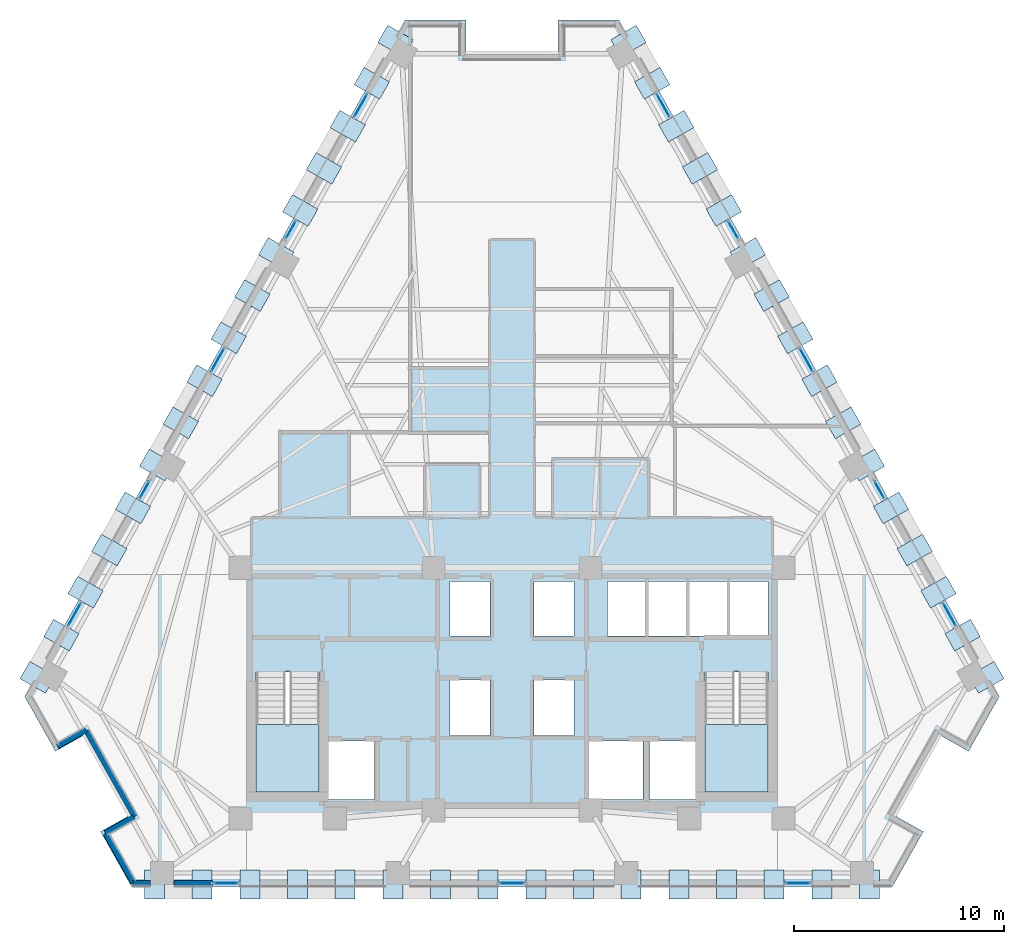
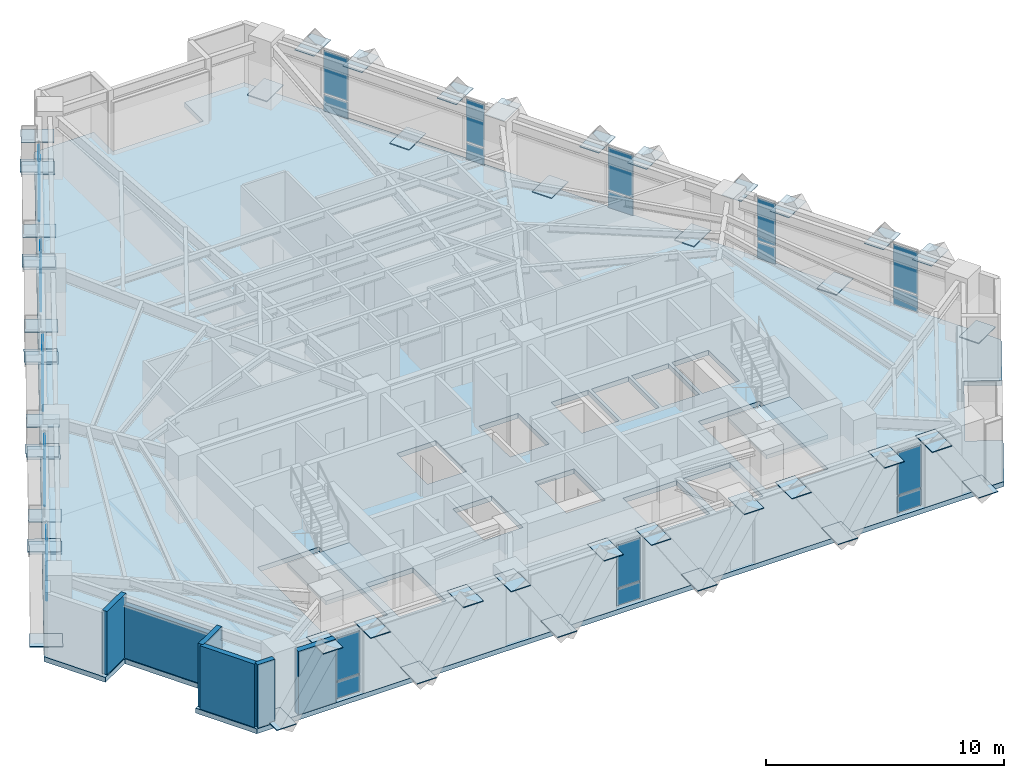
# One storey, part 6 of 13: 74 plates, 6 walls, 3 slabs, 15 elements without a shape of their own.
"""IFC4 building model written with IfcOpenShell, lengths in metres."""

from ifc_helpers import new_model, si_unit, direction, frame, frame_2d, origin, origin_2d, place, context, subcontext, project, spatial, polyline, rectangle, outline, extrude, material, layer, layer_set, type_object, element, aggregate, save


model = new_model("IFC4")

# Units and contexts
model_context = context("Model", 3, precision=1e-05, world=origin(), true_north=direction((0.0, 1.0)))
body_context = subcontext(model_context, "Body", "Model", "MODEL_VIEW")
ifc_project = project(units=[si_unit("LENGTHUNIT", "METRE"), si_unit("AREAUNIT", "SQUARE_METRE"), si_unit("VOLUMEUNIT", "CUBIC_METRE"), si_unit("PLANEANGLEUNIT", "RADIAN"), si_unit("MASSUNIT", "GRAM", prefix="KILO")], contexts=[model_context])

# Site, building, storey
site_placement = place(None, origin())
site = spatial("IfcSite", under=ifc_project, at=site_placement, CompositionType="ELEMENT")
building_placement = place(site_placement, origin())
building = spatial("IfcBuilding", under=site, at=building_placement, Name="Quenlor Broadcast Tower", CompositionType="ELEMENT")
storey_placement = place(building_placement, frame((0.0, 0.0, 109.0)))
storey = spatial("IfcBuildingStorey", under=building, at=storey_placement, Name="L29", CompositionType="ELEMENT", Elevation=109.0)

# Curtain wall, plates
ifc_material_1 = material(Name="Architectural Terracotta and Low-E Glazing", Category="masonry")
curtain_wall_type = type_object("IfcCurtainWallType", Name="Unitised Terracotta Curtain Wall System Z2", PredefinedType="NOTDEFINED", material=ifc_material_1)
curtain_wall_1_placement = place(storey_placement, origin())
curtain_wall_1 = element("IfcCurtainWall", 1, at=curtain_wall_1_placement, inside=storey, type_object=curtain_wall_type, Name="L29 Curtain Wall CW2 (L29-SA-G1)", PredefinedType="NOTDEFINED")
ifc_material_2 = material(Name="Double Glazed Low-E Solar Glass", Category="glass")
ifc_layer_1 = layer(ifc_material_2, 0.030029296875)
ifc_layer_set_1 = layer_set([ifc_layer_1], Name="CW2 Double Glazed Vision Panel 30")
plate_type_1 = type_object("IfcPlateType", Name="CW2 Double Glazed Vision Panel 30", PredefinedType="CURTAIN_PANEL", material=ifc_layer_set_1)
plate_1_placement = place(storey_placement, frame((13.63525390625, -19.840087890625, 0.074951171875), z_axis=(0.0, 0.0, 1.0), x_axis=(-1.0, 0.0, 0.0)))
plate_1 = element("IfcPlate", 2, at=plate_1_placement, type_object=plate_type_1, Name="CW2 panel 1.1", PredefinedType="CURTAIN_PANEL", context=body_context, shape_type="SweptSolid", body=[
    extrude(rectangle(XDim=1.1630859375, YDim=0.030029296875, at=origin_2d()), origin(), (0.0, 0.0, 1.0), 0.83740234375),
])
plate_2_placement = place(storey_placement, frame((13.63525390625, -19.840087890625, 0.987548828125), z_axis=(0.0, 0.0, 1.0), x_axis=(-1.0, 0.0, 0.0)))
plate_2 = element("IfcPlate", 3, at=plate_2_placement, type_object=plate_type_1, Name="CW2 panel 1.2", PredefinedType="CURTAIN_PANEL", context=body_context, shape_type="SweptSolid", body=[
    extrude(rectangle(XDim=1.1630859375, YDim=0.030029296875, at=origin_2d()), origin(), (0.0, 0.0, 1.0), 2.1875),
])
aggregate(curtain_wall_1, [plate_1, plate_2])

curtain_wall_2_placement = place(storey_placement, origin())
curtain_wall_2 = element("IfcCurtainWall", 4, at=curtain_wall_2_placement, inside=storey, type_object=curtain_wall_type, Name="L29 Curtain Wall CW2 (L29-SC-G1)", PredefinedType="NOTDEFINED")
plate_3_placement = place(storey_placement, frame((-13.63525390625, -19.840087890625, 0.074951171875), z_axis=(0.0, 0.0, 1.0), x_axis=(-1.0, 0.0, 0.0)))
plate_3 = element("IfcPlate", 5, at=plate_3_placement, type_object=plate_type_1, Name="CW2 panel 1.1", PredefinedType="CURTAIN_PANEL", context=body_context, shape_type="SweptSolid", body=[
    extrude(rectangle(XDim=1.1630859375, YDim=0.030029296875, at=origin_2d()), origin(), (0.0, 0.0, 1.0), 0.83740234375),
])
plate_4_placement = place(storey_placement, frame((-13.63525390625, -19.840087890625, 0.987548828125), z_axis=(0.0, 0.0, 1.0), x_axis=(-1.0, 0.0, 0.0)))
plate_4 = element("IfcPlate", 6, at=plate_4_placement, type_object=plate_type_1, Name="CW2 panel 1.2", PredefinedType="CURTAIN_PANEL", context=body_context, shape_type="SweptSolid", body=[
    extrude(rectangle(XDim=1.1630859375, YDim=0.030029296875, at=origin_2d()), origin(), (0.0, 0.0, 1.0), 2.1875),
])
aggregate(curtain_wall_2, [plate_3, plate_4])

curtain_wall_3_placement = place(storey_placement, origin())
curtain_wall_3 = element("IfcCurtainWall", 7, at=curtain_wall_3_placement, inside=storey, type_object=curtain_wall_type, Name="L29 Curtain Wall CW2 (L29-S-G1)", PredefinedType="NOTDEFINED")
plate_5_placement = place(storey_placement, frame((0.0, -19.840087890625, 0.074951171875), z_axis=(0.0, 0.0, 1.0), x_axis=(-1.0, 0.0, 0.0)))
plate_5 = element("IfcPlate", 8, at=plate_5_placement, type_object=plate_type_1, Name="CW2 panel 1.1", PredefinedType="CURTAIN_PANEL", context=body_context, shape_type="SweptSolid", body=[
    extrude(rectangle(XDim=1.1630859375, YDim=0.030029296875, at=origin_2d()), origin(), (0.0, 0.0, 1.0), 0.83740234375),
])
plate_6_placement = place(storey_placement, frame((0.0, -19.840087890625, 0.987548828125), z_axis=(0.0, 0.0, 1.0), x_axis=(-1.0, 0.0, 0.0)))
plate_6 = element("IfcPlate", 9, at=plate_6_placement, type_object=plate_type_1, Name="CW2 panel 1.2", PredefinedType="CURTAIN_PANEL", context=body_context, shape_type="SweptSolid", body=[
    extrude(rectangle(XDim=1.1630859375, YDim=0.030029296875, at=origin_2d()), origin(), (0.0, 0.0, 1.0), 2.1875),
])
aggregate(curtain_wall_3, [plate_5, plate_6])

curtain_wall_4_placement = place(storey_placement, origin())
curtain_wall_4 = element("IfcCurtainWall", 10, at=curtain_wall_4_placement, inside=storey, type_object=curtain_wall_type, Name="L29 Curtain Wall CW2 (L29-NEA-G1)", PredefinedType="NOTDEFINED")
plate_7_placement = place(storey_placement, frame((7.209228515625, 17.257080078125, 0.074951171875), z_axis=(0.0, 0.0, 1.0), x_axis=(0.490247320704, -0.871583366376, 0.0)))
plate_7 = element("IfcPlate", 11, at=plate_7_placement, type_object=plate_type_1, Name="CW2 panel 1.1", PredefinedType="CURTAIN_PANEL", context=body_context, shape_type="SweptSolid", body=[
    extrude(rectangle(XDim=1.21435546875, YDim=0.030029296875, at=origin_2d()), origin(), (0.0, 0.0, 1.0), 0.83740234375),
])
plate_8_placement = place(storey_placement, frame((7.209228515625, 17.257080078125, 0.987548828125), z_axis=(0.0, 0.0, 1.0), x_axis=(0.490247320704, -0.871583366376, 0.0)))
plate_8 = element("IfcPlate", 12, at=plate_8_placement, type_object=plate_type_1, Name="CW2 panel 1.2", PredefinedType="CURTAIN_PANEL", context=body_context, shape_type="SweptSolid", body=[
    extrude(rectangle(XDim=1.21435546875, YDim=0.030029296875, at=origin_2d()), origin(), (0.0, 0.0, 1.0), 2.1875),
])
aggregate(curtain_wall_4, [plate_7, plate_8])

curtain_wall_5_placement = place(storey_placement, origin())
curtain_wall_5 = element("IfcCurtainWall", 13, at=curtain_wall_5_placement, inside=storey, type_object=curtain_wall_type, Name="L29 Curtain Wall CW2 (L29-NEA-G2)", PredefinedType="NOTDEFINED")
plate_9_placement = place(storey_placement, frame((10.54736328125, 11.322998046875, 0.074951171875), z_axis=(0.0, 0.0, 1.0), x_axis=(0.490252261371, -0.871580587336, 0.0)))
plate_9 = element("IfcPlate", 14, at=plate_9_placement, type_object=plate_type_1, Name="CW2 panel 1.1", PredefinedType="CURTAIN_PANEL", context=body_context, shape_type="SweptSolid", body=[
    extrude(rectangle(XDim=0.90771484375, YDim=0.030029296875, at=origin_2d()), origin(), (0.0, 0.0, 1.0), 0.83740234375),
])
plate_10_placement = place(storey_placement, frame((10.54736328125, 11.322998046875, 0.987548828125), z_axis=(0.0, 0.0, 1.0), x_axis=(0.490252261371, -0.871580587336, 0.0)))
plate_10 = element("IfcPlate", 15, at=plate_10_placement, type_object=plate_type_1, Name="CW2 panel 1.2", PredefinedType="CURTAIN_PANEL", context=body_context, shape_type="SweptSolid", body=[
    extrude(rectangle(XDim=0.90771484375, YDim=0.030029296875, at=origin_2d()), origin(), (0.0, 0.0, 1.0), 2.1875),
])
aggregate(curtain_wall_5, [plate_9, plate_10])

curtain_wall_6_placement = place(storey_placement, origin())
curtain_wall_6 = element("IfcCurtainWall", 16, at=curtain_wall_6_placement, inside=storey, type_object=curtain_wall_type, Name="L29 Curtain Wall CW2 (L29-NEC-G1)", PredefinedType="NOTDEFINED")
plate_11_placement = place(storey_placement, frame((17.523681640625, -1.079833984375, 0.074951171875), z_axis=(0.0, 0.0, 1.0), x_axis=(0.490252261371, -0.871580587336, 0.0)))
plate_11 = element("IfcPlate", 17, at=plate_11_placement, type_object=plate_type_1, Name="CW2 panel 1.1", PredefinedType="CURTAIN_PANEL", context=body_context, shape_type="SweptSolid", body=[
    extrude(rectangle(XDim=0.90771484375, YDim=0.030029296875, at=origin_2d()), origin(), (0.0, 0.0, 1.0), 0.83740234375),
])
plate_12_placement = place(storey_placement, frame((17.523681640625, -1.079833984375, 0.987548828125), z_axis=(0.0, 0.0, 1.0), x_axis=(0.490252261371, -0.871580587336, 0.0)))
plate_12 = element("IfcPlate", 18, at=plate_12_placement, type_object=plate_type_1, Name="CW2 panel 1.2", PredefinedType="CURTAIN_PANEL", context=body_context, shape_type="SweptSolid", body=[
    extrude(rectangle(XDim=0.90771484375, YDim=0.030029296875, at=origin_2d()), origin(), (0.0, 0.0, 1.0), 2.1875),
])
aggregate(curtain_wall_6, [plate_11, plate_12])

curtain_wall_7_placement = place(storey_placement, origin())
curtain_wall_7 = element("IfcCurtainWall", 19, at=curtain_wall_7_placement, inside=storey, type_object=curtain_wall_type, Name="L29 Curtain Wall CW2 (L29-NEC-G2)", PredefinedType="NOTDEFINED")
plate_13_placement = place(storey_placement, frame((20.861572265625, -7.013916015625, 0.074951171875), z_axis=(0.0, 0.0, 1.0), x_axis=(0.490278639232, -0.871565749621, 0.0)))
plate_13 = element("IfcPlate", 20, at=plate_13_placement, type_object=plate_type_1, Name="CW2 panel 1.1", PredefinedType="CURTAIN_PANEL", context=body_context, shape_type="SweptSolid", body=[
    extrude(rectangle(XDim=1.21435546875, YDim=0.030029296875, at=origin_2d()), origin(), (0.0, 0.0, 1.0), 0.83740234375),
])
plate_14_placement = place(storey_placement, frame((20.861572265625, -7.013916015625, 0.987548828125), z_axis=(0.0, 0.0, 1.0), x_axis=(0.490278639232, -0.871565749621, 0.0)))
plate_14 = element("IfcPlate", 21, at=plate_14_placement, type_object=plate_type_1, Name="CW2 panel 1.2", PredefinedType="CURTAIN_PANEL", context=body_context, shape_type="SweptSolid", body=[
    extrude(rectangle(XDim=1.21435546875, YDim=0.030029296875, at=origin_2d()), origin(), (0.0, 0.0, 1.0), 2.1875),
])
aggregate(curtain_wall_7, [plate_13, plate_14])

curtain_wall_8_placement = place(storey_placement, origin())
curtain_wall_8 = element("IfcCurtainWall", 22, at=curtain_wall_8_placement, inside=storey, type_object=curtain_wall_type, Name="L29 Curtain Wall CW2 (L29-NE-G1)", PredefinedType="NOTDEFINED")
plate_15_placement = place(storey_placement, frame((14.035400390625, 5.12158203125, 0.074951171875), z_axis=(0.0, 0.0, 1.0), x_axis=(0.490254279037, -0.871579452423, 0.0)))
plate_15 = element("IfcPlate", 23, at=plate_15_placement, type_object=plate_type_1, Name="CW2 panel 1.1", PredefinedType="CURTAIN_PANEL", context=body_context, shape_type="SweptSolid", body=[
    extrude(rectangle(XDim=1.214111328125, YDim=0.030029296875, at=origin_2d()), origin(), (0.0, 0.0, 1.0), 0.83740234375),
])
plate_16_placement = place(storey_placement, frame((14.035400390625, 5.12158203125, 0.987548828125), z_axis=(0.0, 0.0, 1.0), x_axis=(0.490254279037, -0.871579452423, 0.0)))
plate_16 = element("IfcPlate", 24, at=plate_16_placement, type_object=plate_type_1, Name="CW2 panel 1.2", PredefinedType="CURTAIN_PANEL", context=body_context, shape_type="SweptSolid", body=[
    extrude(rectangle(XDim=1.214111328125, YDim=0.030029296875, at=origin_2d()), origin(), (0.0, 0.0, 1.0), 2.1875),
])
aggregate(curtain_wall_8, [plate_15, plate_16])

curtain_wall_9_placement = place(storey_placement, origin())
curtain_wall_9 = element("IfcCurtainWall", 25, at=curtain_wall_9_placement, inside=storey, type_object=curtain_wall_type, Name="L29 Curtain Wall CW2 (L29-NWA-G1)", PredefinedType="NOTDEFINED")
plate_17_placement = place(storey_placement, frame((-20.861572265625, -7.013916015625, 0.074951171875), z_axis=(0.0, 0.0, 1.0), x_axis=(0.490278639232, 0.871565749621, 0.0)))
plate_17 = element("IfcPlate", 26, at=plate_17_placement, type_object=plate_type_1, Name="CW2 panel 1.1", PredefinedType="CURTAIN_PANEL", context=body_context, shape_type="SweptSolid", body=[
    extrude(rectangle(XDim=1.21435546875, YDim=0.030029296875, at=origin_2d()), origin(), (0.0, 0.0, 1.0), 0.83740234375),
])
plate_18_placement = place(storey_placement, frame((-20.861572265625, -7.013916015625, 0.987548828125), z_axis=(0.0, 0.0, 1.0), x_axis=(0.490278639232, 0.871565749621, 0.0)))
plate_18 = element("IfcPlate", 27, at=plate_18_placement, type_object=plate_type_1, Name="CW2 panel 1.2", PredefinedType="CURTAIN_PANEL", context=body_context, shape_type="SweptSolid", body=[
    extrude(rectangle(XDim=1.21435546875, YDim=0.030029296875, at=origin_2d()), origin(), (0.0, 0.0, 1.0), 2.1875),
])
aggregate(curtain_wall_9, [plate_17, plate_18])

curtain_wall_10_placement = place(storey_placement, origin())
curtain_wall_10 = element("IfcCurtainWall", 28, at=curtain_wall_10_placement, inside=storey, type_object=curtain_wall_type, Name="L29 Curtain Wall CW2 (L29-NWA-G2)", PredefinedType="NOTDEFINED")
plate_19_placement = place(storey_placement, frame((-17.523681640625, -1.079833984375, 0.074951171875), z_axis=(0.0, 0.0, 1.0), x_axis=(0.490252261371, 0.871580587336, 0.0)))
plate_19 = element("IfcPlate", 29, at=plate_19_placement, type_object=plate_type_1, Name="CW2 panel 1.1", PredefinedType="CURTAIN_PANEL", context=body_context, shape_type="SweptSolid", body=[
    extrude(rectangle(XDim=0.90771484375, YDim=0.030029296875, at=origin_2d()), origin(), (0.0, 0.0, 1.0), 0.83740234375),
])
plate_20_placement = place(storey_placement, frame((-17.523681640625, -1.079833984375, 0.987548828125), z_axis=(0.0, 0.0, 1.0), x_axis=(0.490252261371, 0.871580587336, 0.0)))
plate_20 = element("IfcPlate", 30, at=plate_20_placement, type_object=plate_type_1, Name="CW2 panel 1.2", PredefinedType="CURTAIN_PANEL", context=body_context, shape_type="SweptSolid", body=[
    extrude(rectangle(XDim=0.90771484375, YDim=0.030029296875, at=origin_2d()), origin(), (0.0, 0.0, 1.0), 2.1875),
])
aggregate(curtain_wall_10, [plate_19, plate_20])

curtain_wall_11_placement = place(storey_placement, origin())
curtain_wall_11 = element("IfcCurtainWall", 31, at=curtain_wall_11_placement, inside=storey, type_object=curtain_wall_type, Name="L29 Curtain Wall CW2 (L29-NWC-G1)", PredefinedType="NOTDEFINED")
plate_21_placement = place(storey_placement, frame((-10.54736328125, 11.322998046875, 0.074951171875), z_axis=(0.0, 0.0, 1.0), x_axis=(0.490252261371, 0.871580587336, 0.0)))
plate_21 = element("IfcPlate", 32, at=plate_21_placement, type_object=plate_type_1, Name="CW2 panel 1.1", PredefinedType="CURTAIN_PANEL", context=body_context, shape_type="SweptSolid", body=[
    extrude(rectangle(XDim=0.90771484375, YDim=0.030029296875, at=origin_2d()), origin(), (0.0, 0.0, 1.0), 0.83740234375),
])
plate_22_placement = place(storey_placement, frame((-10.54736328125, 11.322998046875, 0.987548828125), z_axis=(0.0, 0.0, 1.0), x_axis=(0.490252261371, 0.871580587336, 0.0)))
plate_22 = element("IfcPlate", 33, at=plate_22_placement, type_object=plate_type_1, Name="CW2 panel 1.2", PredefinedType="CURTAIN_PANEL", context=body_context, shape_type="SweptSolid", body=[
    extrude(rectangle(XDim=0.90771484375, YDim=0.030029296875, at=origin_2d()), origin(), (0.0, 0.0, 1.0), 2.1875),
])
aggregate(curtain_wall_11, [plate_21, plate_22])

curtain_wall_12_placement = place(storey_placement, origin())
curtain_wall_12 = element("IfcCurtainWall", 34, at=curtain_wall_12_placement, inside=storey, type_object=curtain_wall_type, Name="L29 Curtain Wall CW2 (L29-NWC-G2)", PredefinedType="NOTDEFINED")
plate_23_placement = place(storey_placement, frame((-7.209228515625, 17.257080078125, 0.074951171875), z_axis=(0.0, 0.0, 1.0), x_axis=(0.490247320704, 0.871583366376, 0.0)))
plate_23 = element("IfcPlate", 35, at=plate_23_placement, type_object=plate_type_1, Name="CW2 panel 1.1", PredefinedType="CURTAIN_PANEL", context=body_context, shape_type="SweptSolid", body=[
    extrude(rectangle(XDim=1.21435546875, YDim=0.030029296875, at=origin_2d()), origin(), (0.0, 0.0, 1.0), 0.83740234375),
])
plate_24_placement = place(storey_placement, frame((-7.209228515625, 17.257080078125, 0.987548828125), z_axis=(0.0, 0.0, 1.0), x_axis=(0.490247320704, 0.871583366376, 0.0)))
plate_24 = element("IfcPlate", 36, at=plate_24_placement, type_object=plate_type_1, Name="CW2 panel 1.2", PredefinedType="CURTAIN_PANEL", context=body_context, shape_type="SweptSolid", body=[
    extrude(rectangle(XDim=1.21435546875, YDim=0.030029296875, at=origin_2d()), origin(), (0.0, 0.0, 1.0), 2.1875),
])
aggregate(curtain_wall_12, [plate_23, plate_24])

curtain_wall_13_placement = place(storey_placement, origin())
curtain_wall_13 = element("IfcCurtainWall", 37, at=curtain_wall_13_placement, inside=storey, type_object=curtain_wall_type, Name="L29 Curtain Wall CW2 (L29-NW-G1)", PredefinedType="NOTDEFINED")
plate_25_placement = place(storey_placement, frame((-14.035400390625, 5.12158203125, 0.074951171875), z_axis=(0.0, 0.0, 1.0), x_axis=(0.490254279037, 0.871579452423, 0.0)))
plate_25 = element("IfcPlate", 38, at=plate_25_placement, type_object=plate_type_1, Name="CW2 panel 1.1", PredefinedType="CURTAIN_PANEL", context=body_context, shape_type="SweptSolid", body=[
    extrude(rectangle(XDim=1.214111328125, YDim=0.030029296875, at=origin_2d()), origin(), (0.0, 0.0, 1.0), 0.83740234375),
])
plate_26_placement = place(storey_placement, frame((-14.035400390625, 5.12158203125, 0.987548828125), z_axis=(0.0, 0.0, 1.0), x_axis=(0.490254279037, 0.871579452423, 0.0)))
plate_26 = element("IfcPlate", 39, at=plate_26_placement, type_object=plate_type_1, Name="CW2 panel 1.2", PredefinedType="CURTAIN_PANEL", context=body_context, shape_type="SweptSolid", body=[
    extrude(rectangle(XDim=1.214111328125, YDim=0.030029296875, at=origin_2d()), origin(), (0.0, 0.0, 1.0), 2.1875),
])
aggregate(curtain_wall_13, [plate_25, plate_26])

# Stair, slab
ifc_material_3 = material(Name="Precast concrete C40/50", Category="concrete")
stair_type = type_object("IfcStairType", Name="Precast Concrete C40/50 Dogleg Stair H350", PredefinedType="HALF_TURN_STAIR", material=ifc_material_3)
stair_1_placement = place(storey_placement, origin())
stair_1 = element("IfcStair", 40, at=stair_1_placement, inside=storey, type_object=stair_type, Name="L29 West Core Fire-Isolated Exit Stair ST-1", PredefinedType="HALF_TURN_STAIR")
ifc_material_4 = material(Name="Precast concrete C40/50", Category="concrete")
ifc_layer_2 = layer(ifc_material_4, 0.199951171875)
ifc_layer_set_2 = layer_set([ifc_layer_2], Name="Precast Concrete C40/50 Stair Landing Slab 200")
slab_type_1 = type_object("IfcSlabType", Name="Precast Concrete C40/50 Stair Landing Slab 200", PredefinedType="LANDING", material=ifc_layer_set_2)
slab_1_placement = place(storey_placement, frame((0.0, 0.0, 1.550048828125)))
slab_1 = element("IfcSlab", 41, at=slab_1_placement, type_object=slab_type_1, Name="ST-1 landing 1", PredefinedType="LANDING", context=body_context, shape_type="SweptSolid", body=[
    extrude(outline(polyline([(-12.199951171875, -12.27001953125), (-12.199951171875, -15.5), (-9.199951171875, -15.5), (-9.199951171875, -12.27001953125), (-12.199951171875, -12.27001953125)])), origin(), (0.0, 0.0, 1.0), 0.199951171875),
])
aggregate(stair_1, [slab_1])

stair_2_placement = place(storey_placement, origin())
stair_2 = element("IfcStair", 42, at=stair_2_placement, inside=storey, type_object=stair_type, Name="L29 East Core Fire-Isolated Exit Stair ST-2", PredefinedType="HALF_TURN_STAIR")
slab_2_placement = place(storey_placement, frame((0.0, 0.0, 1.550048828125)))
slab_2 = element("IfcSlab", 43, at=slab_2_placement, type_object=slab_type_1, Name="ST-2 landing 1", PredefinedType="LANDING", context=body_context, shape_type="SweptSolid", body=[
    extrude(outline(polyline([(9.199951171875, -12.27001953125), (9.199951171875, -15.5), (12.199951171875, -15.5), (12.199951171875, -12.27001953125), (9.199951171875, -12.27001953125)])), origin(), (0.0, 0.0, 1.0), 0.199951171875),
])
aggregate(stair_2, [slab_2])

# Slab
ifc_material_5 = material(Name="Concrete C40/50", Category="concrete")
ifc_layer_3 = layer(ifc_material_5, 0.25)
ifc_layer_set_3 = layer_set([ifc_layer_3], Name="Tower Composite Concrete C40/50 Slab 250")
slab_type_2 = type_object("IfcSlabType", Name="Tower Composite Concrete C40/50 Slab 250", PredefinedType="FLOOR", material=ifc_layer_set_3)
slab_3_placement = place(storey_placement, frame((0.0, 0.0, -0.25)))
element("IfcSlab", 44, at=slab_3_placement, inside=storey, type_object=slab_type_2, Name="L29 Structural Floor Slab", PredefinedType="FLOOR", context=body_context, shape_type="SweptSolid", body=[
    extrude(outline(polyline([(18.14404296875, -20.0), (19.616943359375, -17.381591796875), (18.222412109375, -16.596923828125), (20.379638671875, -12.76220703125), (21.774169921875, -13.54638671875), (23.2470703125, -10.927978515625), (5.10302734375, 21.327880859375), (2.199951171875, 21.327880859375), (2.199951171875, 19.72802734375), (-2.199951171875, 19.72802734375), (-2.199951171875, 21.327880859375), (-5.10302734375, 21.327880859375), (-23.2470703125, -10.927978515625), (-21.774169921875, -13.54638671875), (-20.379638671875, -12.76220703125), (-18.222412109375, -16.596923828125), (-19.616943359375, -17.381591796875), (-18.14404296875, -20.0), (18.14404296875, -20.0)]), holes=[polyline([(-12.199951171875, -9.758056640625), (-12.199951171875, -15.5), (-9.199951171875, -15.5), (-9.199951171875, -9.758056640625), (-12.199951171875, -9.758056640625)]), polyline([(9.199951171875, -9.758056640625), (9.199951171875, -15.5), (12.199951171875, -15.5), (12.199951171875, -9.758056640625), (9.199951171875, -9.758056640625)]), polyline([(-2.949951171875, -8.050048828125), (-1.050048828125, -8.050048828125), (-1.050048828125, -5.449951171875), (-2.949951171875, -5.449951171875), (-2.949951171875, -8.050048828125)]), polyline([(1.050048828125, -8.050048828125), (2.949951171875, -8.050048828125), (2.949951171875, -5.449951171875), (1.050048828125, -5.449951171875), (1.050048828125, -8.050048828125)]), polyline([(-2.949951171875, -12.800048828125), (-1.050048828125, -12.800048828125), (-1.050048828125, -10.14990234375), (-2.949951171875, -10.14990234375), (-2.949951171875, -12.800048828125)]), polyline([(1.050048828125, -12.800048828125), (2.949951171875, -12.800048828125), (2.949951171875, -10.14990234375), (1.050048828125, -10.14990234375), (1.050048828125, -12.800048828125)]), polyline([(4.550048828125, -8.050048828125), (6.35009765625, -8.050048828125), (6.35009765625, -5.449951171875), (4.550048828125, -5.449951171875), (4.550048828125, -8.050048828125)]), polyline([(6.5, -8.050048828125), (8.300048828125, -8.050048828125), (8.300048828125, -5.449951171875), (6.5, -5.449951171875), (6.5, -8.050048828125)]), polyline([(8.449951171875, -8.050048828125), (10.25, -8.050048828125), (10.25, -5.449951171875), (8.449951171875, -5.449951171875), (8.449951171875, -8.050048828125)]), polyline([(10.39990234375, -8.050048828125), (12.199951171875, -8.050048828125), (12.199951171875, -5.449951171875), (10.39990234375, -5.449951171875), (10.39990234375, -8.050048828125)]), polyline([(-8.85009765625, -15.85009765625), (-6.550048828125, -15.85009765625), (-6.550048828125, -13.050048828125), (-8.85009765625, -13.050048828125), (-8.85009765625, -15.85009765625)]), polyline([(6.550048828125, -15.85009765625), (8.85009765625, -15.85009765625), (8.85009765625, -13.050048828125), (6.550048828125, -13.050048828125), (6.550048828125, -15.85009765625)]), polyline([(3.64990234375, -15.85009765625), (6.25, -15.85009765625), (6.25, -13.050048828125), (3.64990234375, -13.050048828125), (3.64990234375, -15.85009765625)])]), origin(), (0.0, 0.0, 1.0), 0.25),
])

# Plates
ifc_material_6 = material(Name="Steel S355", Category="steel")
ifc_layer_4 = layer(ifc_material_6, 0.035888671875)
ifc_layer_set_4 = layer_set([ifc_layer_4], Name="Transfer Truss Steel S355 Gusset Node Plate 1400x950x36")
plate_type_2 = type_object("IfcPlateType", Name="Transfer Truss Steel S355 Gusset Node Plate 1400x950x36", PredefinedType="SHEET", material=ifc_layer_set_4)
for number, where, z_axis, x_axis, name in (
    (45, (17.0439453125, -19.89990234375, 0.0419921875), (0.0, 0.0, 1.0), (0.0, -1.0, 0.0), "L29 Lattice Tie Gusset Node S-B0"),
    (46, (14.78515625, -19.89990234375, 3.18212890625), (0.0, 0.0, 1.0), (0.0, -1.0, 0.0), "L29 Lattice Tie Gusset Node S-T1"),
    (47, (10.226318359375, -19.89990234375, 0.0419921875), (0.0, 0.0, 1.0), (0.0, -1.0, 0.0), "L29 Lattice Tie Gusset Node S-B3"),
    (48, (12.4853515625, -19.89990234375, 3.18212890625), (0.0, 0.0, 1.0), (0.0, -1.0, 0.0), "L29 Lattice Tie Gusset Node S-T2"),
    (49, (7.967529296875, -19.89990234375, 3.18212890625), (0.0, 0.0, 1.0), (0.0, -1.0, 0.0), "L29 Lattice Tie Gusset Node S-T4"),
    (50, (3.40869140625, -19.89990234375, 0.0419921875), (0.0, 0.0, 1.0), (0.0, -1.0, 0.0), "L29 Lattice Tie Gusset Node S-B6"),
    (51, (5.667724609375, -19.89990234375, 3.18212890625), (0.0, 0.0, 1.0), (0.0, -1.0, 0.0), "L29 Lattice Tie Gusset Node S-T5"),
    (52, (1.14990234375, -19.89990234375, 3.18212890625), (0.0, 0.0, 1.0), (0.0, -1.0, 0.0), "L29 Lattice Tie Gusset Node S-T7"),
    (53, (-3.40869140625, -19.89990234375, 0.0419921875), (0.0, 0.0, 1.0), (0.0, -1.0, 0.0), "L29 Lattice Tie Gusset Node S-B9"),
    (54, (-1.14990234375, -19.89990234375, 3.18212890625), (0.0, 0.0, 1.0), (0.0, -1.0, 0.0), "L29 Lattice Tie Gusset Node S-T8"),
    (55, (-5.667724609375, -19.89990234375, 3.18212890625), (0.0, 0.0, 1.0), (0.0, -1.0, 0.0), "L29 Lattice Tie Gusset Node S-T10"),
    (56, (-10.226318359375, -19.89990234375, 0.0419921875), (0.0, 0.0, 1.0), (0.0, -1.0, 0.0), "L29 Lattice Tie Gusset Node S-B12"),
    (57, (-7.967529296875, -19.89990234375, 3.18212890625), (0.0, 0.0, 1.0), (0.0, -1.0, 0.0), "L29 Lattice Tie Gusset Node S-T11"),
    (58, (-12.4853515625, -19.89990234375, 3.18212890625), (0.0, 0.0, 1.0), (0.0, -1.0, 0.0), "L29 Lattice Tie Gusset Node S-T13"),
    (59, (-17.0439453125, -19.89990234375, 0.0419921875), (0.0, 0.0, 1.0), (0.0, -1.0, 0.0), "L29 Lattice Tie Gusset Node S-B15"),
    (60, (-14.78515625, -19.89990234375, 3.18212890625), (0.0, 0.0, 1.0), (0.0, -1.0, 0.0), "L29 Lattice Tie Gusset Node S-T14"),
    (61, (5.55517578125, 20.3203125, 0.0419921875), (0.0, 0.0, 1.0), (0.871556314255, 0.490295412055, 0.0), "L29 Lattice Tie Gusset Node NE-B0"),
    (62, (6.68603515625, 18.309814453125, 3.18212890625), (0.0, 0.0, 1.0), (0.871556314255, 0.490295412055, 0.0), "L29 Lattice Tie Gusset Node NE-T1"),
    (63, (8.96826171875, 14.252685546875, 0.0419921875), (0.0, 0.0, 1.0), (0.871556314255, 0.490295412055, 0.0), "L29 Lattice Tie Gusset Node NE-B3"),
    (64, (7.83740234375, 16.262939453125, 3.18212890625), (0.0, 0.0, 1.0), (0.871556314255, 0.490295412055, 0.0), "L29 Lattice Tie Gusset Node NE-T2"),
    (65, (10.09912109375, 12.2421875, 3.18212890625), (0.0, 0.0, 1.0), (0.871556314255, 0.490295412055, 0.0), "L29 Lattice Tie Gusset Node NE-T4"),
    (66, (12.38134765625, 8.184814453125, 0.0419921875), (0.0, 0.0, 1.0), (0.871556314255, 0.490295412055, 0.0), "L29 Lattice Tie Gusset Node NE-B6"),
    (67, (11.25048828125, 10.1953125, 3.18212890625), (0.0, 0.0, 1.0), (0.871556314255, 0.490295412055, 0.0), "L29 Lattice Tie Gusset Node NE-T5"),
    (68, (13.51220703125, 6.17431640625, 3.18212890625), (0.0, 0.0, 1.0), (0.871556314255, 0.490295412055, 0.0), "L29 Lattice Tie Gusset Node NE-T7"),
    (69, (15.794189453125, 2.1171875, 0.0419921875), (0.0, 0.0, 1.0), (0.871556314255, 0.490295412055, 0.0), "L29 Lattice Tie Gusset Node NE-B9"),
    (70, (14.66357421875, 4.127685546875, 3.18212890625), (0.0, 0.0, 1.0), (0.871556314255, 0.490295412055, 0.0), "L29 Lattice Tie Gusset Node NE-T8"),
    (71, (16.92529296875, 0.106689453125, 3.18212890625), (0.0, 0.0, 1.0), (0.871556314255, 0.490295412055, 0.0), "L29 Lattice Tie Gusset Node NE-T10"),
    (72, (19.20751953125, -3.950439453125, 0.0419921875), (0.0, 0.0, 1.0), (0.871556314255, 0.490295412055, 0.0), "L29 Lattice Tie Gusset Node NE-B12"),
    (73, (18.07666015625, -1.940185546875, 3.18212890625), (0.0, 0.0, 1.0), (0.871556314255, 0.490295412055, 0.0), "L29 Lattice Tie Gusset Node NE-T11"),
    (74, (20.33837890625, -5.9609375, 3.18212890625), (0.0, 0.0, 1.0), (0.871556314255, 0.490295412055, 0.0), "L29 Lattice Tie Gusset Node NE-T13"),
    (75, (22.62060546875, -10.018310546875, 0.0419921875), (0.0, 0.0, 1.0), (0.871556314255, 0.490295412055, 0.0), "L29 Lattice Tie Gusset Node NE-B15"),
    (76, (21.489501953125, -8.0078125, 3.18212890625), (0.0, 0.0, 1.0), (0.871556314255, 0.490295412055, 0.0), "L29 Lattice Tie Gusset Node NE-T14"),
    (77, (-22.62060546875, -10.018310546875, 0.0419921875), (0.0, 0.0, 1.0), (-0.871556314255, 0.490295412055, 0.0), "L29 Lattice Tie Gusset Node NW-B0"),
    (78, (-21.489501953125, -8.0078125, 3.18212890625), (0.0, 0.0, 1.0), (-0.871556314255, 0.490295412055, 0.0), "L29 Lattice Tie Gusset Node NW-T1"),
    (79, (-19.20751953125, -3.950439453125, 0.0419921875), (0.0, 0.0, 1.0), (-0.871556314255, 0.490295412055, 0.0), "L29 Lattice Tie Gusset Node NW-B3"),
    (80, (-20.33837890625, -5.9609375, 3.18212890625), (0.0, 0.0, 1.0), (-0.871556314255, 0.490295412055, 0.0), "L29 Lattice Tie Gusset Node NW-T2"),
    (81, (-18.07666015625, -1.940185546875, 3.18212890625), (0.0, 0.0, 1.0), (-0.871556314255, 0.490295412055, 0.0), "L29 Lattice Tie Gusset Node NW-T4"),
    (82, (-15.794189453125, 2.1171875, 0.0419921875), (0.0, 0.0, 1.0), (-0.871556314255, 0.490295412055, 0.0), "L29 Lattice Tie Gusset Node NW-B6"),
    (83, (-16.92529296875, 0.106689453125, 3.18212890625), (0.0, 0.0, 1.0), (-0.871556314255, 0.490295412055, 0.0), "L29 Lattice Tie Gusset Node NW-T5"),
    (84, (-14.66357421875, 4.127685546875, 3.18212890625), (0.0, 0.0, 1.0), (-0.871556314255, 0.490295412055, 0.0), "L29 Lattice Tie Gusset Node NW-T7"),
    (85, (-12.38134765625, 8.184814453125, 0.0419921875), (0.0, 0.0, 1.0), (-0.871556314255, 0.490295412055, 0.0), "L29 Lattice Tie Gusset Node NW-B9"),
    (86, (-13.51220703125, 6.17431640625, 3.18212890625), (0.0, 0.0, 1.0), (-0.871556314255, 0.490295412055, 0.0), "L29 Lattice Tie Gusset Node NW-T8"),
    (87, (-11.25048828125, 10.1953125, 3.18212890625), (0.0, 0.0, 1.0), (-0.871556314255, 0.490295412055, 0.0), "L29 Lattice Tie Gusset Node NW-T10"),
    (88, (-8.96826171875, 14.252685546875, 0.0419921875), (0.0, 0.0, 1.0), (-0.871556314255, 0.490295412055, 0.0), "L29 Lattice Tie Gusset Node NW-B12"),
    (89, (-10.09912109375, 12.2421875, 3.18212890625), (0.0, 0.0, 1.0), (-0.871556314255, 0.490295412055, 0.0), "L29 Lattice Tie Gusset Node NW-T11"),
    (90, (-7.83740234375, 16.262939453125, 3.18212890625), (0.0, 0.0, 1.0), (-0.871556314255, 0.490295412055, 0.0), "L29 Lattice Tie Gusset Node NW-T13"),
    (91, (-5.55517578125, 20.3203125, 0.0419921875), (0.0, 0.0, 1.0), (-0.871556314255, 0.490295412055, 0.0), "L29 Lattice Tie Gusset Node NW-B15"),
    (92, (-6.68603515625, 18.309814453125, 3.18212890625), (0.0, 0.0, 1.0), (-0.871556314255, 0.490295412055, 0.0), "L29 Lattice Tie Gusset Node NW-T14"),
):
    element("IfcPlate", number, at=place(storey_placement, frame(where, z_axis=z_axis, x_axis=x_axis)), inside=storey, type_object=plate_type_2, Name=name, PredefinedType="SHEET", context=body_context, shape_type="SweptSolid", body=[
        extrude(rectangle(XDim=1.39990234375, YDim=0.949951171875, at=origin_2d()), origin(), (0.0, 0.0, 1.0), 0.035888671875),
    ])

# Walls
ifc_material_7 = material(Name="Precast concrete C40/50", Category="concrete")
ifc_layer_5 = layer(ifc_material_7, 0.239990234375)
ifc_layer_set_5 = layer_set([ifc_layer_5], Name="Terrace Threshold Precast Concrete C40/50 Wall 240")
wall_type_1 = type_object("IfcWallType", Name="Terrace Threshold Precast Concrete C40/50 Wall 240", PredefinedType="STANDARD", material=ifc_layer_set_5)
wall_1_placement = place(storey_placement, frame((-17.24755859375, -19.840087890625, 0.0), z_axis=(0.0, 0.0, 1.0), x_axis=(-1.0, 0.0, 0.0)))
element("IfcWall", 93, at=wall_1_placement, inside=storey, type_object=wall_type_1, Name="L29 Exterior Wall L29-SHD-SS1", PredefinedType="STANDARD", context=body_context, shape_type="SweptSolid", body=[
    extrude(rectangle(XDim=0.83642578125, YDim=0.239990234375, at=frame_2d((0.418212890625, 0.0))), origin(), (0.0, 0.0, 1.0), 3.25),
])
wall_2_placement = place(storey_placement, frame((-21.67822265625, -13.30908203125, 0.0), z_axis=(0.0, 0.0, 1.0), x_axis=(0.871546278971, 0.490313250496, 0.0)))
element("IfcWall", 94, at=wall_2_placement, inside=storey, type_object=wall_type_1, Name="L29 Exterior Wall L29-CNR-13", PredefinedType="STANDARD", context=body_context, shape_type="SweptSolid", body=[
    extrude(rectangle(XDim=1.56005859375, YDim=0.239990234375, at=frame_2d((0.780029296875, 0.0))), origin(), (0.0, 0.0, 1.0), 3.25),
])
wall_3_placement = place(storey_placement, frame((-20.299072265625, -12.5791015625, 0.0), z_axis=(0.0, 0.0, 1.0), x_axis=(0.490313250496, -0.871546278971, 0.0)))
element("IfcWall", 95, at=wall_3_placement, inside=storey, type_object=wall_type_1, Name="L29 Exterior Wall L29-CNR-14", PredefinedType="STANDARD", context=body_context, shape_type="SweptSolid", body=[
    extrude(rectangle(XDim=4.679931640625, YDim=0.239990234375, at=frame_2d((2.33984375, 0.0))), origin(), (0.0, 0.0, 1.0), 2.7216796875),
])
wall_4_placement = place(storey_placement, frame((-18.039306640625, -16.677490234375, 0.0), z_axis=(0.0, 0.0, 1.0), x_axis=(-0.871546278971, -0.490313250496, 0.0)))
element("IfcWall", 96, at=wall_4_placement, inside=storey, type_object=wall_type_1, Name="L29 Exterior Wall L29-CNR-15", PredefinedType="STANDARD", context=body_context, shape_type="SweptSolid", body=[
    extrude(rectangle(XDim=1.56005859375, YDim=0.239990234375, at=frame_2d((0.780029296875, 0.0))), origin(), (0.0, 0.0, 1.0), 3.25),
])
wall_5_placement = place(storey_placement, frame((-19.37939453125, -17.477294921875, 0.0), z_axis=(0.0, 0.0, 1.0), x_axis=(0.49023085981, -0.871592625078, 0.0)))
element("IfcWall", 97, at=wall_5_placement, inside=storey, type_object=wall_type_1, Name="L29 Exterior Wall L29-CNR-16", PredefinedType="STANDARD", context=body_context, shape_type="SweptSolid", body=[
    extrude(rectangle(XDim=2.6708984375, YDim=0.239990234375, at=frame_2d((1.33544921875, 0.0))), origin(), (0.0, 0.0, 1.0), 3.25),
])
ifc_material_8 = material(Name="Precast concrete C40/50", Category="concrete")
ifc_layer_6 = layer(ifc_material_8, 0.280029296875)
ifc_layer_set_6 = layer_set([ifc_layer_6], Name="Terracotta Precast Concrete C40/50 Facade Wall 280")
wall_type_2 = type_object("IfcWallType", Name="Terracotta Precast Concrete C40/50 Facade Wall 280", PredefinedType="STANDARD", material=ifc_layer_set_6)
wall_6_placement = place(storey_placement, frame((-14.291748046875, -19.840087890625, 0.0), z_axis=(0.0, 0.0, 1.0), x_axis=(-1.0, 0.0, 0.0)))
element("IfcWall", 98, at=wall_6_placement, inside=storey, type_object=wall_type_2, Name="L29 Exterior Wall L29-SC-SP2", PredefinedType="STANDARD", context=body_context, shape_type="SweptSolid", body=[
    extrude(rectangle(XDim=1.82568359375, YDim=0.280029296875, at=frame_2d((0.912841796875, 0.0))), origin(), (0.0, 0.0, 1.0), 3.25),
])

save(model, "model.ifc")
